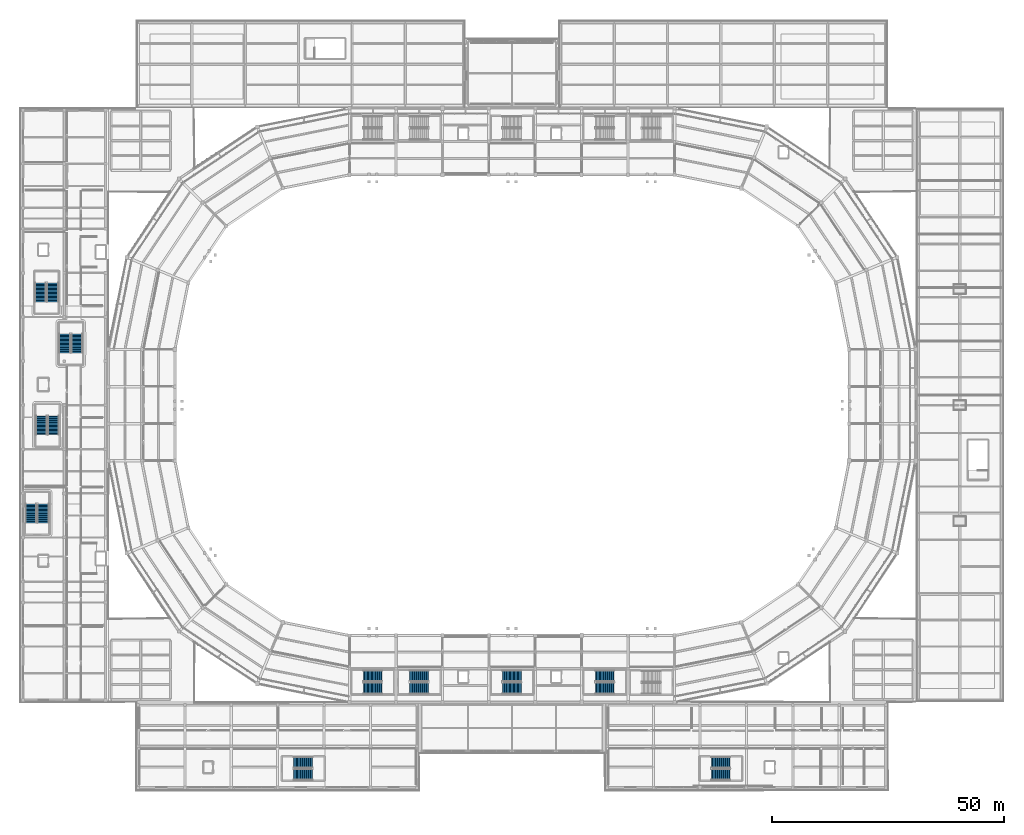
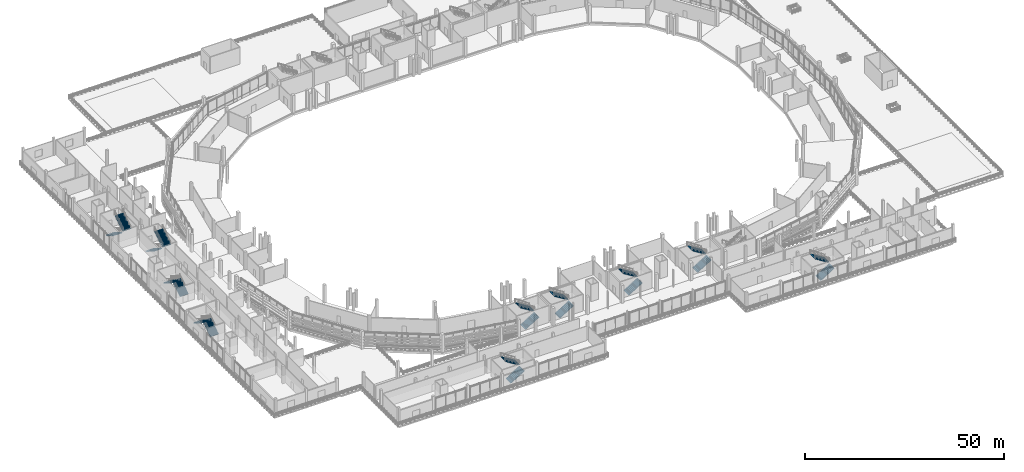
# One storey, part 82 of 111: 20 stair flights, 10 elements without a shape of their own.
"""IFC4 building model written with IfcOpenShell, lengths in metres."""

from ifc_helpers import new_model, si_unit, direction, frame, origin, place, context, subcontext, project, spatial, polyline, outline, extrude, material, type_object, element, aggregate, save


model = new_model("IFC4")

# Units and contexts
model_context = context("Model", 3, precision=1e-05, world=origin(), true_north=direction((0.0, 1.0)))
body_context = subcontext(model_context, "Body", "Model", "MODEL_VIEW")
ifc_project = project(units=[si_unit("LENGTHUNIT", "METRE"), si_unit("AREAUNIT", "SQUARE_METRE"), si_unit("VOLUMEUNIT", "CUBIC_METRE"), si_unit("PLANEANGLEUNIT", "RADIAN"), si_unit("MASSUNIT", "GRAM", prefix="KILO")], contexts=[model_context])

# Site, building, storey
site_placement = place(None, origin())
site = spatial("IfcSite", under=ifc_project, at=site_placement, CompositionType="ELEMENT")
building_placement = place(site_placement, origin())
building = spatial("IfcBuilding", under=site, at=building_placement, Name="Candeia Ridge Stadium", CompositionType="ELEMENT")
storey_placement = place(building_placement, frame((0.0, 0.0, 16.199951171875)))
storey = spatial("IfcBuildingStorey", under=building, at=storey_placement, Name="L03", CompositionType="ELEMENT", Elevation=16.199951171875)

# Stair, stair flights
ifc_material_1 = material(Name="Concrete C40/50", Category="concrete")
stair_type = type_object("IfcStairType", Name="Enclosed Core Half-Turn Stair 2450", PredefinedType="HALF_TURN_STAIR", material=ifc_material_1)
stair_1_placement = place(storey_placement, origin())
stair_1 = element("IfcStair", 1, at=stair_1_placement, inside=storey, type_object=stair_type, Name="L03 Enclosed exit stair ST02", PredefinedType="HALF_TURN_STAIR")
ifc_material_2 = material(Name="Precast concrete C40/50", Category="concrete")
stair_flight_type = type_object("IfcStairFlightType", Name="Core Precast Stair Flight 2450", PredefinedType="STRAIGHT", material=ifc_material_2)
stair_flight_1_placement = place(storey_placement, frame((73.949951171875, 22.02490234375, 0.0), z_axis=(0.0, 0.0, 1.0), x_axis=(1.0, 0.0, 0.0)))
stair_flight_1 = element("IfcStairFlight", 2, at=stair_flight_1_placement, type_object=stair_flight_type, Name="ST02 flight 1", NumberOfRisers=15, NumberOfTreads=14, PredefinedType="STRAIGHT", RiserHeight=0.18, TreadLength=0.29, context=body_context, shape_type="SweptSolid", body=[
    extrude(outline(polyline([(0.0, 0.0), (0.0, 0.179931640625), (0.2900390625, 0.179931640625), (0.2900390625, 0.360107421875), (0.580078125, 0.360107421875), (0.580078125, 0.5400390625), (0.8701171875, 0.5400390625), (0.8701171875, 0.719970703125), (1.159912109375, 0.719970703125), (1.159912109375, 0.89990234375), (1.449951171875, 0.89990234375), (1.449951171875, 1.080078125), (1.739990234375, 1.080078125), (1.739990234375, 1.260009765625), (2.030029296875, 1.260009765625), (2.030029296875, 1.43994140625), (2.320068359375, 1.43994140625), (2.320068359375, 1.6201171875), (2.610107421875, 1.6201171875), (2.610107421875, 1.800048828125), (2.89990234375, 1.800048828125), (2.89990234375, 1.97998046875), (3.18994140625, 1.97998046875), (3.18994140625, 2.159912109375), (3.47998046875, 2.159912109375), (3.47998046875, 2.340087890625), (3.77001953125, 2.340087890625), (3.77001953125, 2.52001953125), (4.06005859375, 2.52001953125), (4.06005859375, 2.699951171875), (4.06005859375, 2.331787109375), (0.30322265625, 0.0), (0.0, 0.0)])), frame((0.0, 1.22509765625, 0.0), z_axis=(0.0, -1.0, 0.0), x_axis=(1.0, 0.0, 0.0)), (0.0, 0.0, 1.0), 2.449951171875),
])
stair_flight_2_placement = place(storey_placement, frame((78.010009765625, 24.625, 2.699951171875), z_axis=(0.0, 0.0, 1.0), x_axis=(-1.0, 0.0, 0.0)))
stair_flight_2 = element("IfcStairFlight", 3, at=stair_flight_2_placement, type_object=stair_flight_type, Name="ST02 flight 2", NumberOfRisers=15, NumberOfTreads=14, PredefinedType="STRAIGHT", RiserHeight=0.18, TreadLength=0.29, context=body_context, shape_type="SweptSolid", body=[
    extrude(outline(polyline([(0.0, 0.0), (0.0, 0.179931640625), (0.2900390625, 0.179931640625), (0.2900390625, 0.360107421875), (0.580078125, 0.360107421875), (0.580078125, 0.5400390625), (0.8701171875, 0.5400390625), (0.8701171875, 0.719970703125), (1.159912109375, 0.719970703125), (1.159912109375, 0.89990234375), (1.449951171875, 0.89990234375), (1.449951171875, 1.080078125), (1.739990234375, 1.080078125), (1.739990234375, 1.260009765625), (2.030029296875, 1.260009765625), (2.030029296875, 1.43994140625), (2.320068359375, 1.43994140625), (2.320068359375, 1.6201171875), (2.610107421875, 1.6201171875), (2.610107421875, 1.800048828125), (2.89990234375, 1.800048828125), (2.89990234375, 1.97998046875), (3.18994140625, 1.97998046875), (3.18994140625, 2.159912109375), (3.47998046875, 2.159912109375), (3.47998046875, 2.340087890625), (3.77001953125, 2.340087890625), (3.77001953125, 2.52001953125), (4.06005859375, 2.52001953125), (4.06005859375, 2.699951171875), (4.06005859375, 2.331787109375), (0.30322265625, 0.0), (0.0, 0.0)])), frame((0.0, 1.22509765625, 0.0), z_axis=(0.0, -1.0, 0.0), x_axis=(1.0, 0.0, 0.0)), (0.0, 0.0, 1.0), 2.449951171875),
])
aggregate(stair_1, [stair_flight_1, stair_flight_2])

stair_2_placement = place(storey_placement, origin())
stair_2 = element("IfcStair", 4, at=stair_2_placement, inside=storey, type_object=stair_type, Name="L03 Enclosed exit stair ST05", PredefinedType="HALF_TURN_STAIR")
stair_flight_3_placement = place(storey_placement, frame((4.97509765625, 57.64990234375, 0.0), z_axis=(0.0, 0.0, 1.0), x_axis=(0.0, 1.0, 0.0)))
stair_flight_3 = element("IfcStairFlight", 5, at=stair_flight_3_placement, type_object=stair_flight_type, Name="ST05 flight 1", NumberOfRisers=15, NumberOfTreads=14, PredefinedType="STRAIGHT", RiserHeight=0.18, TreadLength=0.29, context=body_context, shape_type="SweptSolid", body=[
    extrude(outline(polyline([(0.0, 0.0), (0.0, 0.179931640625), (0.2900390625, 0.179931640625), (0.2900390625, 0.360107421875), (0.580078125, 0.360107421875), (0.580078125, 0.5400390625), (0.8701171875, 0.5400390625), (0.8701171875, 0.719970703125), (1.159912109375, 0.719970703125), (1.159912109375, 0.89990234375), (1.449951171875, 0.89990234375), (1.449951171875, 1.080078125), (1.739990234375, 1.080078125), (1.739990234375, 1.260009765625), (2.030029296875, 1.260009765625), (2.030029296875, 1.43994140625), (2.320068359375, 1.43994140625), (2.320068359375, 1.6201171875), (2.610107421875, 1.6201171875), (2.610107421875, 1.800048828125), (2.89990234375, 1.800048828125), (2.89990234375, 1.97998046875), (3.18994140625, 1.97998046875), (3.18994140625, 2.159912109375), (3.47998046875, 2.159912109375), (3.47998046875, 2.340087890625), (3.77001953125, 2.340087890625), (3.77001953125, 2.52001953125), (4.06005859375, 2.52001953125), (4.06005859375, 2.699951171875), (4.06005859375, 2.331787109375), (0.30322265625, 0.0), (0.0, 0.0)])), frame((0.0, 1.22509765625, 0.0), z_axis=(0.0, -1.0, 0.0), x_axis=(1.0, 0.0, 0.0)), (0.0, 0.0, 1.0), 2.449951171875),
])
stair_flight_4_placement = place(storey_placement, frame((2.375, 61.7099609375, 2.699951171875), z_axis=(0.0, 0.0, 1.0), x_axis=(0.0, -1.0, 0.0)))
stair_flight_4 = element("IfcStairFlight", 6, at=stair_flight_4_placement, type_object=stair_flight_type, Name="ST05 flight 2", NumberOfRisers=15, NumberOfTreads=14, PredefinedType="STRAIGHT", RiserHeight=0.18, TreadLength=0.29, context=body_context, shape_type="SweptSolid", body=[
    extrude(outline(polyline([(0.0, 0.0), (0.0, 0.179931640625), (0.2900390625, 0.179931640625), (0.2900390625, 0.360107421875), (0.580078125, 0.360107421875), (0.580078125, 0.5400390625), (0.8701171875, 0.5400390625), (0.8701171875, 0.719970703125), (1.159912109375, 0.719970703125), (1.159912109375, 0.89990234375), (1.449951171875, 0.89990234375), (1.449951171875, 1.080078125), (1.739990234375, 1.080078125), (1.739990234375, 1.260009765625), (2.030029296875, 1.260009765625), (2.030029296875, 1.43994140625), (2.320068359375, 1.43994140625), (2.320068359375, 1.6201171875), (2.610107421875, 1.6201171875), (2.610107421875, 1.800048828125), (2.89990234375, 1.800048828125), (2.89990234375, 1.97998046875), (3.18994140625, 1.97998046875), (3.18994140625, 2.159912109375), (3.47998046875, 2.159912109375), (3.47998046875, 2.340087890625), (3.77001953125, 2.340087890625), (3.77001953125, 2.52001953125), (4.06005859375, 2.52001953125), (4.06005859375, 2.699951171875), (4.06005859375, 2.331787109375), (0.30322265625, 0.0), (0.0, 0.0)])), frame((0.0, 1.22509765625, 0.0), z_axis=(0.0, -1.0, 0.0), x_axis=(1.0, 0.0, 0.0)), (0.0, 0.0, 1.0), 2.449951171875),
])
aggregate(stair_2, [stair_flight_3, stair_flight_4])

stair_3_placement = place(storey_placement, origin())
stair_3 = element("IfcStair", 7, at=stair_3_placement, inside=storey, type_object=stair_type, Name="L03 Enclosed exit stair ST06", PredefinedType="HALF_TURN_STAIR")
stair_flight_5_placement = place(storey_placement, frame((4.425048828125, 109.35009765625, 0.0), z_axis=(0.0, 0.0, 1.0), x_axis=(0.0, -1.0, 0.0)))
stair_flight_5 = element("IfcStairFlight", 8, at=stair_flight_5_placement, type_object=stair_flight_type, Name="ST06 flight 1", NumberOfRisers=15, NumberOfTreads=14, PredefinedType="STRAIGHT", RiserHeight=0.18, TreadLength=0.29, context=body_context, shape_type="SweptSolid", body=[
    extrude(outline(polyline([(0.0, 0.0), (0.0, 0.179931640625), (0.2900390625, 0.179931640625), (0.2900390625, 0.360107421875), (0.580078125, 0.360107421875), (0.580078125, 0.5400390625), (0.8701171875, 0.5400390625), (0.8701171875, 0.719970703125), (1.159912109375, 0.719970703125), (1.159912109375, 0.89990234375), (1.449951171875, 0.89990234375), (1.449951171875, 1.080078125), (1.739990234375, 1.080078125), (1.739990234375, 1.260009765625), (2.030029296875, 1.260009765625), (2.030029296875, 1.43994140625), (2.320068359375, 1.43994140625), (2.320068359375, 1.6201171875), (2.610107421875, 1.6201171875), (2.610107421875, 1.800048828125), (2.89990234375, 1.800048828125), (2.89990234375, 1.97998046875), (3.18994140625, 1.97998046875), (3.18994140625, 2.159912109375), (3.47998046875, 2.159912109375), (3.47998046875, 2.340087890625), (3.77001953125, 2.340087890625), (3.77001953125, 2.52001953125), (4.06005859375, 2.52001953125), (4.06005859375, 2.699951171875), (4.06005859375, 2.331787109375), (0.30322265625, 0.0), (0.0, 0.0)])), frame((0.0, 1.22509765625, 0.0), z_axis=(0.0, -1.0, 0.0), x_axis=(1.0, 0.0, 0.0)), (0.0, 0.0, 1.0), 2.449951171875),
])
stair_flight_6_placement = place(storey_placement, frame((7.02490234375, 105.2900390625, 2.699951171875), z_axis=(0.0, 0.0, 1.0), x_axis=(0.0, 1.0, 0.0)))
stair_flight_6 = element("IfcStairFlight", 9, at=stair_flight_6_placement, type_object=stair_flight_type, Name="ST06 flight 2", NumberOfRisers=15, NumberOfTreads=14, PredefinedType="STRAIGHT", RiserHeight=0.18, TreadLength=0.29, context=body_context, shape_type="SweptSolid", body=[
    extrude(outline(polyline([(0.0, 0.0), (0.0, 0.179931640625), (0.2900390625, 0.179931640625), (0.2900390625, 0.360107421875), (0.580078125, 0.360107421875), (0.580078125, 0.5400390625), (0.8701171875, 0.5400390625), (0.8701171875, 0.719970703125), (1.159912109375, 0.719970703125), (1.159912109375, 0.89990234375), (1.449951171875, 0.89990234375), (1.449951171875, 1.080078125), (1.739990234375, 1.080078125), (1.739990234375, 1.260009765625), (2.030029296875, 1.260009765625), (2.030029296875, 1.43994140625), (2.320068359375, 1.43994140625), (2.320068359375, 1.6201171875), (2.610107421875, 1.6201171875), (2.610107421875, 1.800048828125), (2.89990234375, 1.800048828125), (2.89990234375, 1.97998046875), (3.18994140625, 1.97998046875), (3.18994140625, 2.159912109375), (3.47998046875, 2.159912109375), (3.47998046875, 2.340087890625), (3.77001953125, 2.340087890625), (3.77001953125, 2.52001953125), (4.06005859375, 2.52001953125), (4.06005859375, 2.699951171875), (4.06005859375, 2.331787109375), (0.30322265625, 0.0), (0.0, 0.0)])), frame((0.0, 1.22509765625, 0.0), z_axis=(0.0, -1.0, 0.0), x_axis=(1.0, 0.0, 0.0)), (0.0, 0.0, 1.0), 2.449951171875),
])
aggregate(stair_3, [stair_flight_5, stair_flight_6])

stair_4_placement = place(storey_placement, origin())
stair_4 = element("IfcStair", 10, at=stair_4_placement, inside=storey, type_object=stair_type, Name="L03 Enclosed exit stair ST07", PredefinedType="HALF_TURN_STAIR")
stair_flight_7_placement = place(storey_placement, frame((7.175048828125, 76.64990234375, 0.0), z_axis=(0.0, 0.0, 1.0), x_axis=(0.0, 1.0, 0.0)))
stair_flight_7 = element("IfcStairFlight", 11, at=stair_flight_7_placement, type_object=stair_flight_type, Name="ST07 flight 1", NumberOfRisers=15, NumberOfTreads=14, PredefinedType="STRAIGHT", RiserHeight=0.18, TreadLength=0.29, context=body_context, shape_type="SweptSolid", body=[
    extrude(outline(polyline([(0.0, 0.0), (0.0, 0.179931640625), (0.2900390625, 0.179931640625), (0.2900390625, 0.360107421875), (0.580078125, 0.360107421875), (0.580078125, 0.5400390625), (0.8701171875, 0.5400390625), (0.8701171875, 0.719970703125), (1.159912109375, 0.719970703125), (1.159912109375, 0.89990234375), (1.449951171875, 0.89990234375), (1.449951171875, 1.080078125), (1.739990234375, 1.080078125), (1.739990234375, 1.260009765625), (2.030029296875, 1.260009765625), (2.030029296875, 1.43994140625), (2.320068359375, 1.43994140625), (2.320068359375, 1.6201171875), (2.610107421875, 1.6201171875), (2.610107421875, 1.800048828125), (2.89990234375, 1.800048828125), (2.89990234375, 1.97998046875), (3.18994140625, 1.97998046875), (3.18994140625, 2.159912109375), (3.47998046875, 2.159912109375), (3.47998046875, 2.340087890625), (3.77001953125, 2.340087890625), (3.77001953125, 2.52001953125), (4.06005859375, 2.52001953125), (4.06005859375, 2.699951171875), (4.06005859375, 2.331787109375), (0.30322265625, 0.0), (0.0, 0.0)])), frame((0.0, 1.22509765625, 0.0), z_axis=(0.0, -1.0, 0.0), x_axis=(1.0, 0.0, 0.0)), (0.0, 0.0, 1.0), 2.449951171875),
])
stair_flight_8_placement = place(storey_placement, frame((4.574951171875, 80.7099609375, 2.699951171875), z_axis=(0.0, 0.0, 1.0), x_axis=(0.0, -1.0, 0.0)))
stair_flight_8 = element("IfcStairFlight", 12, at=stair_flight_8_placement, type_object=stair_flight_type, Name="ST07 flight 2", NumberOfRisers=15, NumberOfTreads=14, PredefinedType="STRAIGHT", RiserHeight=0.18, TreadLength=0.29, context=body_context, shape_type="SweptSolid", body=[
    extrude(outline(polyline([(0.0, 0.0), (0.0, 0.179931640625), (0.2900390625, 0.179931640625), (0.2900390625, 0.360107421875), (0.580078125, 0.360107421875), (0.580078125, 0.5400390625), (0.8701171875, 0.5400390625), (0.8701171875, 0.719970703125), (1.159912109375, 0.719970703125), (1.159912109375, 0.89990234375), (1.449951171875, 0.89990234375), (1.449951171875, 1.080078125), (1.739990234375, 1.080078125), (1.739990234375, 1.260009765625), (2.030029296875, 1.260009765625), (2.030029296875, 1.43994140625), (2.320068359375, 1.43994140625), (2.320068359375, 1.6201171875), (2.610107421875, 1.6201171875), (2.610107421875, 1.800048828125), (2.89990234375, 1.800048828125), (2.89990234375, 1.97998046875), (3.18994140625, 1.97998046875), (3.18994140625, 2.159912109375), (3.47998046875, 2.159912109375), (3.47998046875, 2.340087890625), (3.77001953125, 2.340087890625), (3.77001953125, 2.52001953125), (4.06005859375, 2.52001953125), (4.06005859375, 2.699951171875), (4.06005859375, 2.331787109375), (0.30322265625, 0.0), (0.0, 0.0)])), frame((0.0, 1.22509765625, 0.0), z_axis=(0.0, -1.0, 0.0), x_axis=(1.0, 0.0, 0.0)), (0.0, 0.0, 1.0), 2.449951171875),
])
aggregate(stair_4, [stair_flight_7, stair_flight_8])

stair_5_placement = place(storey_placement, origin())
stair_5 = element("IfcStair", 13, at=stair_5_placement, inside=storey, type_object=stair_type, Name="L03 Enclosed exit stair ST08", PredefinedType="HALF_TURN_STAIR")
stair_flight_9_placement = place(storey_placement, frame((9.625, 98.35009765625, 0.0), z_axis=(0.0, 0.0, 1.0), x_axis=(0.0, -1.0, 0.0)))
stair_flight_9 = element("IfcStairFlight", 14, at=stair_flight_9_placement, type_object=stair_flight_type, Name="ST08 flight 1", NumberOfRisers=15, NumberOfTreads=14, PredefinedType="STRAIGHT", RiserHeight=0.18, TreadLength=0.29, context=body_context, shape_type="SweptSolid", body=[
    extrude(outline(polyline([(0.0, 0.0), (0.0, 0.179931640625), (0.2900390625, 0.179931640625), (0.2900390625, 0.360107421875), (0.580078125, 0.360107421875), (0.580078125, 0.5400390625), (0.8701171875, 0.5400390625), (0.8701171875, 0.719970703125), (1.159912109375, 0.719970703125), (1.159912109375, 0.89990234375), (1.449951171875, 0.89990234375), (1.449951171875, 1.080078125), (1.739990234375, 1.080078125), (1.739990234375, 1.260009765625), (2.030029296875, 1.260009765625), (2.030029296875, 1.43994140625), (2.320068359375, 1.43994140625), (2.320068359375, 1.6201171875), (2.610107421875, 1.6201171875), (2.610107421875, 1.800048828125), (2.89990234375, 1.800048828125), (2.89990234375, 1.97998046875), (3.18994140625, 1.97998046875), (3.18994140625, 2.159912109375), (3.47998046875, 2.159912109375), (3.47998046875, 2.340087890625), (3.77001953125, 2.340087890625), (3.77001953125, 2.52001953125), (4.06005859375, 2.52001953125), (4.06005859375, 2.699951171875), (4.06005859375, 2.331787109375), (0.30322265625, 0.0), (0.0, 0.0)])), frame((0.0, 1.22509765625, 0.0), z_axis=(0.0, -1.0, 0.0), x_axis=(1.0, 0.0, 0.0)), (0.0, 0.0, 1.0), 2.449951171875),
])
stair_flight_10_placement = place(storey_placement, frame((12.22509765625, 94.2900390625, 2.699951171875), z_axis=(0.0, 0.0, 1.0), x_axis=(0.0, 1.0, 0.0)))
stair_flight_10 = element("IfcStairFlight", 15, at=stair_flight_10_placement, type_object=stair_flight_type, Name="ST08 flight 2", NumberOfRisers=15, NumberOfTreads=14, PredefinedType="STRAIGHT", RiserHeight=0.18, TreadLength=0.29, context=body_context, shape_type="SweptSolid", body=[
    extrude(outline(polyline([(0.0, 0.0), (0.0, 0.179931640625), (0.2900390625, 0.179931640625), (0.2900390625, 0.360107421875), (0.580078125, 0.360107421875), (0.580078125, 0.5400390625), (0.8701171875, 0.5400390625), (0.8701171875, 0.719970703125), (1.159912109375, 0.719970703125), (1.159912109375, 0.89990234375), (1.449951171875, 0.89990234375), (1.449951171875, 1.080078125), (1.739990234375, 1.080078125), (1.739990234375, 1.260009765625), (2.030029296875, 1.260009765625), (2.030029296875, 1.43994140625), (2.320068359375, 1.43994140625), (2.320068359375, 1.6201171875), (2.610107421875, 1.6201171875), (2.610107421875, 1.800048828125), (2.89990234375, 1.800048828125), (2.89990234375, 1.97998046875), (3.18994140625, 1.97998046875), (3.18994140625, 2.159912109375), (3.47998046875, 2.159912109375), (3.47998046875, 2.340087890625), (3.77001953125, 2.340087890625), (3.77001953125, 2.52001953125), (4.06005859375, 2.52001953125), (4.06005859375, 2.699951171875), (4.06005859375, 2.331787109375), (0.30322265625, 0.0), (0.0, 0.0)])), frame((0.0, 1.22509765625, 0.0), z_axis=(0.0, -1.0, 0.0), x_axis=(1.0, 0.0, 0.0)), (0.0, 0.0, 1.0), 2.449951171875),
])
aggregate(stair_5, [stair_flight_9, stair_flight_10])

stair_6_placement = place(storey_placement, origin())
stair_6 = element("IfcStair", 16, at=stair_6_placement, inside=storey, type_object=stair_type, Name="L03 Enclosed exit stair ST11", PredefinedType="HALF_TURN_STAIR")
stair_flight_11_placement = place(storey_placement, frame((83.949951171875, 22.02490234375, 0.0), z_axis=(0.0, 0.0, 1.0), x_axis=(1.0, 0.0, 0.0)))
stair_flight_11 = element("IfcStairFlight", 17, at=stair_flight_11_placement, type_object=stair_flight_type, Name="ST11 flight 1", NumberOfRisers=15, NumberOfTreads=14, PredefinedType="STRAIGHT", RiserHeight=0.18, TreadLength=0.29, context=body_context, shape_type="SweptSolid", body=[
    extrude(outline(polyline([(0.0, 0.0), (0.0, 0.179931640625), (0.2900390625, 0.179931640625), (0.2900390625, 0.360107421875), (0.580078125, 0.360107421875), (0.580078125, 0.5400390625), (0.8701171875, 0.5400390625), (0.8701171875, 0.719970703125), (1.159912109375, 0.719970703125), (1.159912109375, 0.89990234375), (1.449951171875, 0.89990234375), (1.449951171875, 1.080078125), (1.739990234375, 1.080078125), (1.739990234375, 1.260009765625), (2.030029296875, 1.260009765625), (2.030029296875, 1.43994140625), (2.320068359375, 1.43994140625), (2.320068359375, 1.6201171875), (2.610107421875, 1.6201171875), (2.610107421875, 1.800048828125), (2.89990234375, 1.800048828125), (2.89990234375, 1.97998046875), (3.18994140625, 1.97998046875), (3.18994140625, 2.159912109375), (3.47998046875, 2.159912109375), (3.47998046875, 2.340087890625), (3.77001953125, 2.340087890625), (3.77001953125, 2.52001953125), (4.06005859375, 2.52001953125), (4.06005859375, 2.699951171875), (4.06005859375, 2.331787109375), (0.30322265625, 0.0), (0.0, 0.0)])), frame((0.0, 1.22509765625, 0.0), z_axis=(0.0, -1.0, 0.0), x_axis=(1.0, 0.0, 0.0)), (0.0, 0.0, 1.0), 2.449951171875),
])
stair_flight_12_placement = place(storey_placement, frame((88.010009765625, 24.625, 2.699951171875), z_axis=(0.0, 0.0, 1.0), x_axis=(-1.0, 0.0, 0.0)))
stair_flight_12 = element("IfcStairFlight", 18, at=stair_flight_12_placement, type_object=stair_flight_type, Name="ST11 flight 2", NumberOfRisers=15, NumberOfTreads=14, PredefinedType="STRAIGHT", RiserHeight=0.18, TreadLength=0.29, context=body_context, shape_type="SweptSolid", body=[
    extrude(outline(polyline([(0.0, 0.0), (0.0, 0.179931640625), (0.2900390625, 0.179931640625), (0.2900390625, 0.360107421875), (0.580078125, 0.360107421875), (0.580078125, 0.5400390625), (0.8701171875, 0.5400390625), (0.8701171875, 0.719970703125), (1.159912109375, 0.719970703125), (1.159912109375, 0.89990234375), (1.449951171875, 0.89990234375), (1.449951171875, 1.080078125), (1.739990234375, 1.080078125), (1.739990234375, 1.260009765625), (2.030029296875, 1.260009765625), (2.030029296875, 1.43994140625), (2.320068359375, 1.43994140625), (2.320068359375, 1.6201171875), (2.610107421875, 1.6201171875), (2.610107421875, 1.800048828125), (2.89990234375, 1.800048828125), (2.89990234375, 1.97998046875), (3.18994140625, 1.97998046875), (3.18994140625, 2.159912109375), (3.47998046875, 2.159912109375), (3.47998046875, 2.340087890625), (3.77001953125, 2.340087890625), (3.77001953125, 2.52001953125), (4.06005859375, 2.52001953125), (4.06005859375, 2.699951171875), (4.06005859375, 2.331787109375), (0.30322265625, 0.0), (0.0, 0.0)])), frame((0.0, 1.22509765625, 0.0), z_axis=(0.0, -1.0, 0.0), x_axis=(1.0, 0.0, 0.0)), (0.0, 0.0, 1.0), 2.449951171875),
])
aggregate(stair_6, [stair_flight_11, stair_flight_12])

stair_7_placement = place(storey_placement, origin())
stair_7 = element("IfcStair", 19, at=stair_7_placement, inside=storey, type_object=stair_type, Name="L03 Enclosed exit stair ST12", PredefinedType="HALF_TURN_STAIR")
stair_flight_13_placement = place(storey_placement, frame((123.949951171875, 22.02490234375, 0.0), z_axis=(0.0, 0.0, 1.0), x_axis=(1.0, 0.0, 0.0)))
stair_flight_13 = element("IfcStairFlight", 20, at=stair_flight_13_placement, type_object=stair_flight_type, Name="ST12 flight 1", NumberOfRisers=15, NumberOfTreads=14, PredefinedType="STRAIGHT", RiserHeight=0.18, TreadLength=0.29, context=body_context, shape_type="SweptSolid", body=[
    extrude(outline(polyline([(0.0, 0.0), (0.0, 0.179931640625), (0.2900390625, 0.179931640625), (0.2900390625, 0.360107421875), (0.580078125, 0.360107421875), (0.580078125, 0.5400390625), (0.8701171875, 0.5400390625), (0.8701171875, 0.719970703125), (1.159912109375, 0.719970703125), (1.159912109375, 0.89990234375), (1.449951171875, 0.89990234375), (1.449951171875, 1.080078125), (1.739990234375, 1.080078125), (1.739990234375, 1.260009765625), (2.030029296875, 1.260009765625), (2.030029296875, 1.43994140625), (2.320068359375, 1.43994140625), (2.320068359375, 1.6201171875), (2.610107421875, 1.6201171875), (2.610107421875, 1.800048828125), (2.89990234375, 1.800048828125), (2.89990234375, 1.97998046875), (3.18994140625, 1.97998046875), (3.18994140625, 2.159912109375), (3.47998046875, 2.159912109375), (3.47998046875, 2.340087890625), (3.77001953125, 2.340087890625), (3.77001953125, 2.52001953125), (4.06005859375, 2.52001953125), (4.06005859375, 2.699951171875), (4.06005859375, 2.331787109375), (0.30322265625, 0.0), (0.0, 0.0)])), frame((0.0, 1.22509765625, 0.0), z_axis=(0.0, -1.0, 0.0), x_axis=(1.0, 0.0, 0.0)), (0.0, 0.0, 1.0), 2.449951171875),
])
stair_flight_14_placement = place(storey_placement, frame((128.010009765625, 24.625, 2.699951171875), z_axis=(0.0, 0.0, 1.0), x_axis=(-1.0, 0.0, 0.0)))
stair_flight_14 = element("IfcStairFlight", 21, at=stair_flight_14_placement, type_object=stair_flight_type, Name="ST12 flight 2", NumberOfRisers=15, NumberOfTreads=14, PredefinedType="STRAIGHT", RiserHeight=0.18, TreadLength=0.29, context=body_context, shape_type="SweptSolid", body=[
    extrude(outline(polyline([(0.0, 0.0), (0.0, 0.179931640625), (0.2900390625, 0.179931640625), (0.2900390625, 0.360107421875), (0.580078125, 0.360107421875), (0.580078125, 0.5400390625), (0.8701171875, 0.5400390625), (0.8701171875, 0.719970703125), (1.159912109375, 0.719970703125), (1.159912109375, 0.89990234375), (1.449951171875, 0.89990234375), (1.449951171875, 1.080078125), (1.739990234375, 1.080078125), (1.739990234375, 1.260009765625), (2.030029296875, 1.260009765625), (2.030029296875, 1.43994140625), (2.320068359375, 1.43994140625), (2.320068359375, 1.6201171875), (2.610107421875, 1.6201171875), (2.610107421875, 1.800048828125), (2.89990234375, 1.800048828125), (2.89990234375, 1.97998046875), (3.18994140625, 1.97998046875), (3.18994140625, 2.159912109375), (3.47998046875, 2.159912109375), (3.47998046875, 2.340087890625), (3.77001953125, 2.340087890625), (3.77001953125, 2.52001953125), (4.06005859375, 2.52001953125), (4.06005859375, 2.699951171875), (4.06005859375, 2.331787109375), (0.30322265625, 0.0), (0.0, 0.0)])), frame((0.0, 1.22509765625, 0.0), z_axis=(0.0, -1.0, 0.0), x_axis=(1.0, 0.0, 0.0)), (0.0, 0.0, 1.0), 2.449951171875),
])
aggregate(stair_7, [stair_flight_13, stair_flight_14])

stair_8_placement = place(storey_placement, origin())
stair_8 = element("IfcStair", 22, at=stair_8_placement, inside=storey, type_object=stair_type, Name="L03 Enclosed exit stair ST13", PredefinedType="HALF_TURN_STAIR")
stair_flight_15_placement = place(storey_placement, frame((58.949951171875, 3.425048828125, 0.0), z_axis=(0.0, 0.0, 1.0), x_axis=(1.0, 0.0, 0.0)))
stair_flight_15 = element("IfcStairFlight", 23, at=stair_flight_15_placement, type_object=stair_flight_type, Name="ST13 flight 1", NumberOfRisers=15, NumberOfTreads=14, PredefinedType="STRAIGHT", RiserHeight=0.18, TreadLength=0.29, context=body_context, shape_type="SweptSolid", body=[
    extrude(outline(polyline([(0.0, 0.0), (0.0, 0.179931640625), (0.2900390625, 0.179931640625), (0.2900390625, 0.360107421875), (0.580078125, 0.360107421875), (0.580078125, 0.5400390625), (0.8701171875, 0.5400390625), (0.8701171875, 0.719970703125), (1.159912109375, 0.719970703125), (1.159912109375, 0.89990234375), (1.449951171875, 0.89990234375), (1.449951171875, 1.080078125), (1.739990234375, 1.080078125), (1.739990234375, 1.260009765625), (2.030029296875, 1.260009765625), (2.030029296875, 1.43994140625), (2.320068359375, 1.43994140625), (2.320068359375, 1.6201171875), (2.610107421875, 1.6201171875), (2.610107421875, 1.800048828125), (2.89990234375, 1.800048828125), (2.89990234375, 1.97998046875), (3.18994140625, 1.97998046875), (3.18994140625, 2.159912109375), (3.47998046875, 2.159912109375), (3.47998046875, 2.340087890625), (3.77001953125, 2.340087890625), (3.77001953125, 2.52001953125), (4.06005859375, 2.52001953125), (4.06005859375, 2.699951171875), (4.06005859375, 2.331787109375), (0.30322265625, 0.0), (0.0, 0.0)])), frame((0.0, 1.22509765625, 0.0), z_axis=(0.0, -1.0, 0.0), x_axis=(1.0, 0.0, 0.0)), (0.0, 0.0, 1.0), 2.449951171875),
])
stair_flight_16_placement = place(storey_placement, frame((63.010009765625, 6.02490234375, 2.699951171875), z_axis=(0.0, 0.0, 1.0), x_axis=(-1.0, 0.0, 0.0)))
stair_flight_16 = element("IfcStairFlight", 24, at=stair_flight_16_placement, type_object=stair_flight_type, Name="ST13 flight 2", NumberOfRisers=15, NumberOfTreads=14, PredefinedType="STRAIGHT", RiserHeight=0.18, TreadLength=0.29, context=body_context, shape_type="SweptSolid", body=[
    extrude(outline(polyline([(0.0, 0.0), (0.0, 0.179931640625), (0.2900390625, 0.179931640625), (0.2900390625, 0.360107421875), (0.580078125, 0.360107421875), (0.580078125, 0.5400390625), (0.8701171875, 0.5400390625), (0.8701171875, 0.719970703125), (1.159912109375, 0.719970703125), (1.159912109375, 0.89990234375), (1.449951171875, 0.89990234375), (1.449951171875, 1.080078125), (1.739990234375, 1.080078125), (1.739990234375, 1.260009765625), (2.030029296875, 1.260009765625), (2.030029296875, 1.43994140625), (2.320068359375, 1.43994140625), (2.320068359375, 1.6201171875), (2.610107421875, 1.6201171875), (2.610107421875, 1.800048828125), (2.89990234375, 1.800048828125), (2.89990234375, 1.97998046875), (3.18994140625, 1.97998046875), (3.18994140625, 2.159912109375), (3.47998046875, 2.159912109375), (3.47998046875, 2.340087890625), (3.77001953125, 2.340087890625), (3.77001953125, 2.52001953125), (4.06005859375, 2.52001953125), (4.06005859375, 2.699951171875), (4.06005859375, 2.331787109375), (0.30322265625, 0.0), (0.0, 0.0)])), frame((0.0, 1.22509765625, 0.0), z_axis=(0.0, -1.0, 0.0), x_axis=(1.0, 0.0, 0.0)), (0.0, 0.0, 1.0), 2.449951171875),
])
aggregate(stair_8, [stair_flight_15, stair_flight_16])

stair_9_placement = place(storey_placement, origin())
stair_9 = element("IfcStair", 25, at=stair_9_placement, inside=storey, type_object=stair_type, Name="L03 Enclosed exit stair ST14", PredefinedType="HALF_TURN_STAIR")
stair_flight_17_placement = place(storey_placement, frame((148.949951171875, 3.425048828125, 0.0), z_axis=(0.0, 0.0, 1.0), x_axis=(1.0, 0.0, 0.0)))
stair_flight_17 = element("IfcStairFlight", 26, at=stair_flight_17_placement, type_object=stair_flight_type, Name="ST14 flight 1", NumberOfRisers=15, NumberOfTreads=14, PredefinedType="STRAIGHT", RiserHeight=0.18, TreadLength=0.29, context=body_context, shape_type="SweptSolid", body=[
    extrude(outline(polyline([(0.0, 0.0), (0.0, 0.179931640625), (0.2900390625, 0.179931640625), (0.2900390625, 0.360107421875), (0.580078125, 0.360107421875), (0.580078125, 0.5400390625), (0.8701171875, 0.5400390625), (0.8701171875, 0.719970703125), (1.159912109375, 0.719970703125), (1.159912109375, 0.89990234375), (1.449951171875, 0.89990234375), (1.449951171875, 1.080078125), (1.739990234375, 1.080078125), (1.739990234375, 1.260009765625), (2.030029296875, 1.260009765625), (2.030029296875, 1.43994140625), (2.320068359375, 1.43994140625), (2.320068359375, 1.6201171875), (2.610107421875, 1.6201171875), (2.610107421875, 1.800048828125), (2.89990234375, 1.800048828125), (2.89990234375, 1.97998046875), (3.18994140625, 1.97998046875), (3.18994140625, 2.159912109375), (3.47998046875, 2.159912109375), (3.47998046875, 2.340087890625), (3.77001953125, 2.340087890625), (3.77001953125, 2.52001953125), (4.06005859375, 2.52001953125), (4.06005859375, 2.699951171875), (4.06005859375, 2.331787109375), (0.30322265625, 0.0), (0.0, 0.0)])), frame((0.0, 1.22509765625, 0.0), z_axis=(0.0, -1.0, 0.0), x_axis=(1.0, 0.0, 0.0)), (0.0, 0.0, 1.0), 2.449951171875),
])
stair_flight_18_placement = place(storey_placement, frame((153.010009765625, 6.02490234375, 2.699951171875), z_axis=(0.0, 0.0, 1.0), x_axis=(-1.0, 0.0, 0.0)))
stair_flight_18 = element("IfcStairFlight", 27, at=stair_flight_18_placement, type_object=stair_flight_type, Name="ST14 flight 2", NumberOfRisers=15, NumberOfTreads=14, PredefinedType="STRAIGHT", RiserHeight=0.18, TreadLength=0.29, context=body_context, shape_type="SweptSolid", body=[
    extrude(outline(polyline([(0.0, 0.0), (0.0, 0.179931640625), (0.2900390625, 0.179931640625), (0.2900390625, 0.360107421875), (0.580078125, 0.360107421875), (0.580078125, 0.5400390625), (0.8701171875, 0.5400390625), (0.8701171875, 0.719970703125), (1.159912109375, 0.719970703125), (1.159912109375, 0.89990234375), (1.449951171875, 0.89990234375), (1.449951171875, 1.080078125), (1.739990234375, 1.080078125), (1.739990234375, 1.260009765625), (2.030029296875, 1.260009765625), (2.030029296875, 1.43994140625), (2.320068359375, 1.43994140625), (2.320068359375, 1.6201171875), (2.610107421875, 1.6201171875), (2.610107421875, 1.800048828125), (2.89990234375, 1.800048828125), (2.89990234375, 1.97998046875), (3.18994140625, 1.97998046875), (3.18994140625, 2.159912109375), (3.47998046875, 2.159912109375), (3.47998046875, 2.340087890625), (3.77001953125, 2.340087890625), (3.77001953125, 2.52001953125), (4.06005859375, 2.52001953125), (4.06005859375, 2.699951171875), (4.06005859375, 2.331787109375), (0.30322265625, 0.0), (0.0, 0.0)])), frame((0.0, 1.22509765625, 0.0), z_axis=(0.0, -1.0, 0.0), x_axis=(1.0, 0.0, 0.0)), (0.0, 0.0, 1.0), 2.449951171875),
])
aggregate(stair_9, [stair_flight_17, stair_flight_18])

stair_10_placement = place(storey_placement, origin())
stair_10 = element("IfcStair", 28, at=stair_10_placement, inside=storey, type_object=stair_type, Name="L03 Enclosed exit stair ST18", PredefinedType="HALF_TURN_STAIR")
stair_flight_19_placement = place(storey_placement, frame((103.949951171875, 22.02490234375, 0.0), z_axis=(0.0, 0.0, 1.0), x_axis=(1.0, 0.0, 0.0)))
stair_flight_19 = element("IfcStairFlight", 29, at=stair_flight_19_placement, type_object=stair_flight_type, Name="ST18 flight 1", NumberOfRisers=15, NumberOfTreads=14, PredefinedType="STRAIGHT", RiserHeight=0.18, TreadLength=0.29, context=body_context, shape_type="SweptSolid", body=[
    extrude(outline(polyline([(0.0, 0.0), (0.0, 0.179931640625), (0.2900390625, 0.179931640625), (0.2900390625, 0.360107421875), (0.580078125, 0.360107421875), (0.580078125, 0.5400390625), (0.8701171875, 0.5400390625), (0.8701171875, 0.719970703125), (1.159912109375, 0.719970703125), (1.159912109375, 0.89990234375), (1.449951171875, 0.89990234375), (1.449951171875, 1.080078125), (1.739990234375, 1.080078125), (1.739990234375, 1.260009765625), (2.030029296875, 1.260009765625), (2.030029296875, 1.43994140625), (2.320068359375, 1.43994140625), (2.320068359375, 1.6201171875), (2.610107421875, 1.6201171875), (2.610107421875, 1.800048828125), (2.89990234375, 1.800048828125), (2.89990234375, 1.97998046875), (3.18994140625, 1.97998046875), (3.18994140625, 2.159912109375), (3.47998046875, 2.159912109375), (3.47998046875, 2.340087890625), (3.77001953125, 2.340087890625), (3.77001953125, 2.52001953125), (4.06005859375, 2.52001953125), (4.06005859375, 2.699951171875), (4.06005859375, 2.331787109375), (0.30322265625, 0.0), (0.0, 0.0)])), frame((0.0, 1.22509765625, 0.0), z_axis=(0.0, -1.0, 0.0), x_axis=(1.0, 0.0, 0.0)), (0.0, 0.0, 1.0), 2.449951171875),
])
stair_flight_20_placement = place(storey_placement, frame((108.010009765625, 24.625, 2.699951171875), z_axis=(0.0, 0.0, 1.0), x_axis=(-1.0, 0.0, 0.0)))
stair_flight_20 = element("IfcStairFlight", 30, at=stair_flight_20_placement, type_object=stair_flight_type, Name="ST18 flight 2", NumberOfRisers=15, NumberOfTreads=14, PredefinedType="STRAIGHT", RiserHeight=0.18, TreadLength=0.29, context=body_context, shape_type="SweptSolid", body=[
    extrude(outline(polyline([(0.0, 0.0), (0.0, 0.179931640625), (0.2900390625, 0.179931640625), (0.2900390625, 0.360107421875), (0.580078125, 0.360107421875), (0.580078125, 0.5400390625), (0.8701171875, 0.5400390625), (0.8701171875, 0.719970703125), (1.159912109375, 0.719970703125), (1.159912109375, 0.89990234375), (1.449951171875, 0.89990234375), (1.449951171875, 1.080078125), (1.739990234375, 1.080078125), (1.739990234375, 1.260009765625), (2.030029296875, 1.260009765625), (2.030029296875, 1.43994140625), (2.320068359375, 1.43994140625), (2.320068359375, 1.6201171875), (2.610107421875, 1.6201171875), (2.610107421875, 1.800048828125), (2.89990234375, 1.800048828125), (2.89990234375, 1.97998046875), (3.18994140625, 1.97998046875), (3.18994140625, 2.159912109375), (3.47998046875, 2.159912109375), (3.47998046875, 2.340087890625), (3.77001953125, 2.340087890625), (3.77001953125, 2.52001953125), (4.06005859375, 2.52001953125), (4.06005859375, 2.699951171875), (4.06005859375, 2.331787109375), (0.30322265625, 0.0), (0.0, 0.0)])), frame((0.0, 1.22509765625, 0.0), z_axis=(0.0, -1.0, 0.0), x_axis=(1.0, 0.0, 0.0)), (0.0, 0.0, 1.0), 2.449951171875),
])
aggregate(stair_10, [stair_flight_19, stair_flight_20])

save(model, "model.ifc")
